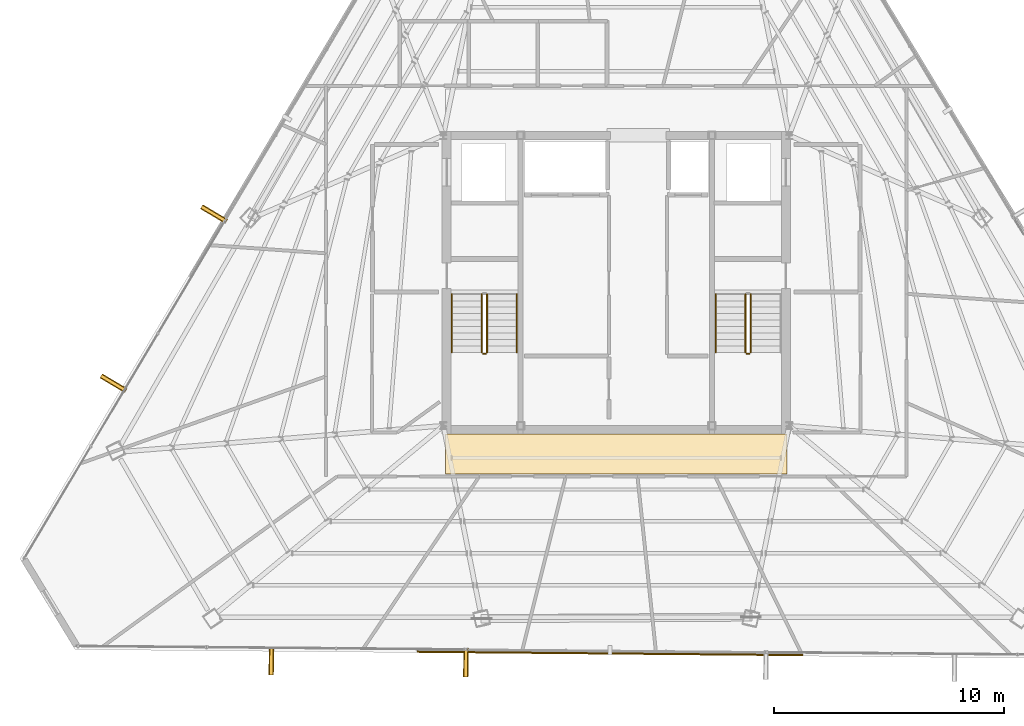
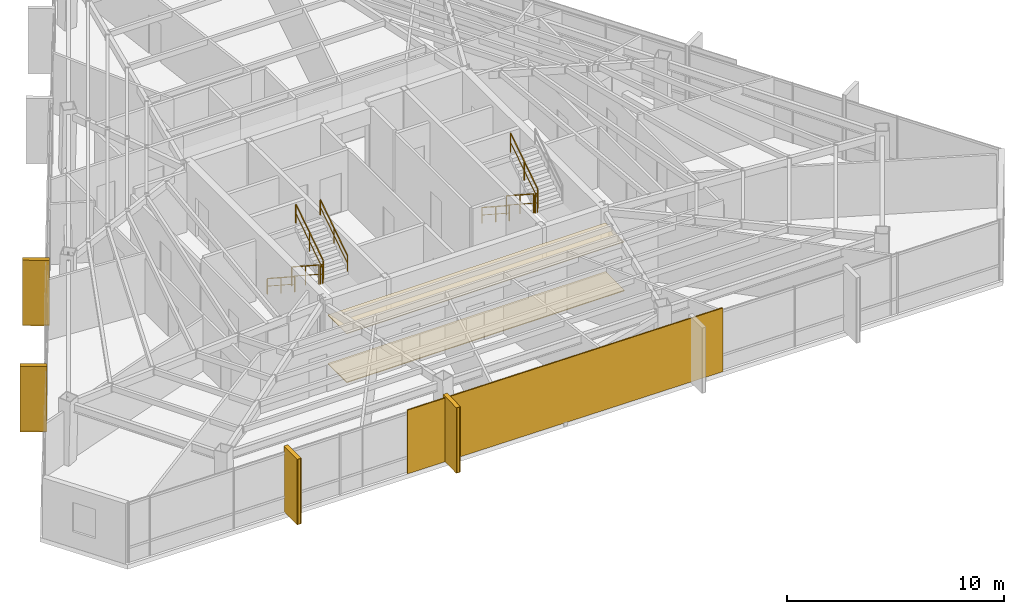
# One storey, part 43 of 45: 9 railings, 6 coverings, 5 shading devices.
"""IFC4 building model written with IfcOpenShell, lengths in metres."""

from ifc_helpers import new_model, si_unit, direction, frame, origin, origin_2d, place, context, subcontext, project, spatial, polyline, rectangle, outline, extrude, source, transform, mapped, material, layer, layer_set, type_object, type_shapes, element, save


model = new_model("IFC4")

# Units and contexts
model_context = context("Model", 3, precision=1e-05, world=origin(), true_north=direction((0.0, 1.0)))
body_context = subcontext(model_context, "Body", "Model", "MODEL_VIEW")
ifc_project = project(units=[si_unit("LENGTHUNIT", "METRE"), si_unit("AREAUNIT", "SQUARE_METRE"), si_unit("VOLUMEUNIT", "CUBIC_METRE"), si_unit("PLANEANGLEUNIT", "RADIAN"), si_unit("MASSUNIT", "GRAM", prefix="KILO")], contexts=[model_context])

# Site, building, storey
site_placement = place(None, origin())
site = spatial("IfcSite", under=ifc_project, at=site_placement, CompositionType="ELEMENT")
building_placement = place(site_placement, origin())
building = spatial("IfcBuilding", under=site, at=building_placement, Name="Caelisora Broadcast Tower", CompositionType="ELEMENT")
storey_placement = place(building_placement, frame((0.0, 0.0, 240.800048828125)))
storey = spatial("IfcBuildingStorey", under=building, at=storey_placement, Name="L63", CompositionType="ELEMENT", Elevation=240.800048828125)

# Coverings
ifc_material_1 = material(Name="Perforated Mineral-Fibre Acoustic Ceiling Tile", Category="gypsum")
ifc_layer_1 = layer(ifc_material_1, 0.034912109375, Name="Perforated Mineral-Fibre Acoustic Ceiling Tile")
ifc_layer_set_1 = layer_set([ifc_layer_1], Name="Perforated Mineral-Fibre Acoustic Ceiling Tile")
covering_type_1 = type_object("IfcCoveringType", Name="CE-1", PredefinedType="CEILING", material=ifc_layer_set_1)
covering_1_placement = place(storey_placement, frame((0.0, 0.0, 2.75)))
element("IfcCovering", 1, at=covering_1_placement, inside=storey, type_object=covering_type_1, Name="L63 acoustic corridor ceiling CE-1 (S)", PredefinedType="CEILING", context=body_context, shape_type="SweptSolid", body=[
    extrude(outline(polyline([(30.60009765625, 15.300048828125), (45.39990234375, 15.300048828125), (45.39990234375, 17.050048828125), (30.60009765625, 17.050048828125), (30.60009765625, 15.300048828125)])), origin(), (0.0, 0.0, 1.0), 0.034912109375),
])
ifc_material_2 = material(Name="Anti-Static Broadcast Raised Access Floor Panel", Category="steel")
ifc_layer_2 = layer(ifc_material_2, 0.044921875, Name="Anti-Static Broadcast Raised Access Floor Panel")
ifc_layer_set_2 = layer_set([ifc_layer_2], Name="Anti-Static Broadcast Raised Access Floor Panel")
covering_type_2 = type_object("IfcCoveringType", Name="FL-1", PredefinedType="FLOORING", material=ifc_layer_set_2)
covering_2_placement = place(storey_placement, origin())
element("IfcCovering", 2, at=covering_2_placement, inside=storey, type_object=covering_type_2, Name="L63 broadcast raised access floor FL-1 (S)", PredefinedType="FLOORING", context=body_context, shape_type="SweptSolid", body=[
    extrude(outline(polyline([(30.60009765625, 15.300048828125), (45.39990234375, 15.300048828125), (45.39990234375, 17.050048828125), (30.60009765625, 17.050048828125), (30.60009765625, 15.300048828125)])), origin(), (0.0, 0.0, 1.0), 0.044921875),
])

# Railings
ifc_material_3 = material(Name="Galvanised Steel Safety Guardrail", Category="steel")
ifc_layer_3 = layer(ifc_material_3, 0.048095703125, Name="Galvanised Steel Safety Guardrail")
ifc_layer_set_3 = layer_set([ifc_layer_3], Name="Galvanised Steel Safety Guardrail")
railing_type_1 = type_object("IfcRailingType", Name="GR-1", PredefinedType="GUARDRAIL", material=ifc_layer_set_3)
railing_1_placement = place(storey_placement, frame((32.169921875, 23.10009765625, 0.182373046875)))
element("IfcRailing", 3, at=railing_1_placement, inside=storey, type_object=railing_type_1, Name="L63 ST-1 stair guard 1", PredefinedType="GUARDRAIL", context=body_context, shape_type="SweptSolid", body=[
    extrude(rectangle(XDim=0.048095703125, YDim=0.048095703125, at=origin_2d()), frame((0.0, 0.0, 1.076171875), z_axis=(0.0, -0.837749427056, 0.546054848405), x_axis=(1.0, 0.0, 0.0)), (0.0, 0.0, 1.0), 3.008056640625),
    extrude(rectangle(XDim=0.03125, YDim=0.03125, at=origin_2d()), frame((0.0, 0.0, 0.550048828125), z_axis=(0.0, -0.837749427056, 0.546054848405), x_axis=(1.0, 0.0, 0.0)), (0.0, 0.0, 1.0), 3.008056640625),
    extrude(rectangle(XDim=0.0419921875, YDim=0.0419921875, at=origin_2d()), origin(), (0.0, 0.0, 1.0), 1.052001953125),
    extrude(rectangle(XDim=0.0419921875, YDim=0.0419921875, at=origin_2d()), frame((0.0, -1.260009765625, 0.8212890625)), (0.0, 0.0, 1.0), 1.052001953125),
    extrude(rectangle(XDim=0.0419921875, YDim=0.0419921875, at=origin_2d()), frame((0.0, -2.52001953125, 1.642578125)), (0.0, 0.0, 1.0), 1.052001953125),
])
railing_2_placement = place(storey_placement, frame((32.219970703125, 20.530029296875, 1.824951171875)))
element("IfcRailing", 4, at=railing_2_placement, inside=storey, type_object=railing_type_1, Name="L63 ST-1 stair guard 2", PredefinedType="GUARDRAIL", context=body_context, shape_type="SweptSolid", body=[
    extrude(rectangle(XDim=0.048095703125, YDim=0.048095703125, at=origin_2d()), frame((0.0, 0.0, 1.076171875), z_axis=(1.0, 0.0, 0.0), x_axis=(0.0, 1.0, 0.0)), (0.0, 0.0, 1.0), 0.1201171875),
    extrude(rectangle(XDim=0.03125, YDim=0.03125, at=origin_2d()), frame((0.0, 0.0, 0.550048828125), z_axis=(1.0, 0.0, 0.0), x_axis=(0.0, 1.0, 0.0)), (0.0, 0.0, 1.0), 0.1201171875),
    extrude(rectangle(XDim=0.0419921875, YDim=0.0419921875, at=origin_2d()), origin(), (0.0, 0.0, 1.0), 1.052001953125),
    extrude(rectangle(XDim=0.0419921875, YDim=0.0419921875, at=origin_2d()), frame((0.1201171875, 0.0, 0.0)), (0.0, 0.0, 1.0), 1.052001953125),
])
railing_3_placement = place(storey_placement, frame((32.389892578125, 20.580078125, 2.007568359375)))
element("IfcRailing", 5, at=railing_3_placement, inside=storey, type_object=railing_type_1, Name="L63 ST-1 stair guard 3", PredefinedType="GUARDRAIL", context=body_context, shape_type="SweptSolid", body=[
    extrude(rectangle(XDim=0.048095703125, YDim=0.048095703125, at=origin_2d()), frame((0.0, 0.0, 1.076171875), z_axis=(0.0, 0.837786554691, 0.545997883492), x_axis=(-1.0, 0.0, 0.0)), (0.0, 0.0, 1.0), 3.008056640625),
    extrude(rectangle(XDim=0.03125, YDim=0.03125, at=origin_2d()), frame((0.0, 0.0, 0.550048828125), z_axis=(0.0, 0.837786554691, 0.545997883492), x_axis=(-1.0, 0.0, 0.0)), (0.0, 0.0, 1.0), 3.008056640625),
    extrude(rectangle(XDim=0.0419921875, YDim=0.0419921875, at=origin_2d()), origin(), (0.0, 0.0, 1.0), 1.052001953125),
    extrude(rectangle(XDim=0.0419921875, YDim=0.0419921875, at=origin_2d()), frame((0.0, 1.260009765625, 0.8212890625)), (0.0, 0.0, 1.0), 1.052001953125),
    extrude(rectangle(XDim=0.0419921875, YDim=0.0419921875, at=origin_2d()), frame((0.0, 2.52001953125, 1.642333984375)), (0.0, 0.0, 1.0), 1.052001953125),
])
railing_4_placement = place(storey_placement, frame((43.610107421875, 23.10009765625, 0.182373046875)))
element("IfcRailing", 6, at=railing_4_placement, inside=storey, type_object=railing_type_1, Name="L63 ST-2 stair guard 1", PredefinedType="GUARDRAIL", context=body_context, shape_type="SweptSolid", body=[
    extrude(rectangle(XDim=0.048095703125, YDim=0.048095703125, at=origin_2d()), frame((0.0, 0.0, 1.076171875), z_axis=(0.0, -0.837749427056, 0.546054848405), x_axis=(1.0, 0.0, 0.0)), (0.0, 0.0, 1.0), 3.008056640625),
    extrude(rectangle(XDim=0.03125, YDim=0.03125, at=origin_2d()), frame((0.0, 0.0, 0.550048828125), z_axis=(0.0, -0.837749427056, 0.546054848405), x_axis=(1.0, 0.0, 0.0)), (0.0, 0.0, 1.0), 3.008056640625),
    extrude(rectangle(XDim=0.0419921875, YDim=0.0419921875, at=origin_2d()), origin(), (0.0, 0.0, 1.0), 1.052001953125),
    extrude(rectangle(XDim=0.0419921875, YDim=0.0419921875, at=origin_2d()), frame((0.0, -1.260009765625, 0.8212890625)), (0.0, 0.0, 1.0), 1.052001953125),
    extrude(rectangle(XDim=0.0419921875, YDim=0.0419921875, at=origin_2d()), frame((0.0, -2.52001953125, 1.642578125)), (0.0, 0.0, 1.0), 1.052001953125),
])
railing_5_placement = place(storey_placement, frame((43.659912109375, 20.530029296875, 1.824951171875)))
element("IfcRailing", 7, at=railing_5_placement, inside=storey, type_object=railing_type_1, Name="L63 ST-2 stair guard 2", PredefinedType="GUARDRAIL", context=body_context, shape_type="SweptSolid", body=[
    extrude(rectangle(XDim=0.048095703125, YDim=0.048095703125, at=origin_2d()), frame((0.0, 0.0, 1.076171875), z_axis=(1.0, 0.0, 0.0), x_axis=(0.0, 1.0, 0.0)), (0.0, 0.0, 1.0), 0.1201171875),
    extrude(rectangle(XDim=0.03125, YDim=0.03125, at=origin_2d()), frame((0.0, 0.0, 0.550048828125), z_axis=(1.0, 0.0, 0.0), x_axis=(0.0, 1.0, 0.0)), (0.0, 0.0, 1.0), 0.1201171875),
    extrude(rectangle(XDim=0.0419921875, YDim=0.0419921875, at=origin_2d()), origin(), (0.0, 0.0, 1.0), 1.052001953125),
    extrude(rectangle(XDim=0.0419921875, YDim=0.0419921875, at=origin_2d()), frame((0.1201171875, 0.0, 0.0)), (0.0, 0.0, 1.0), 1.052001953125),
])
railing_6_placement = place(storey_placement, frame((43.830078125, 20.580078125, 2.007568359375)))
element("IfcRailing", 8, at=railing_6_placement, inside=storey, type_object=railing_type_1, Name="L63 ST-2 stair guard 3", PredefinedType="GUARDRAIL", context=body_context, shape_type="SweptSolid", body=[
    extrude(rectangle(XDim=0.048095703125, YDim=0.048095703125, at=origin_2d()), frame((0.0, 0.0, 1.076171875), z_axis=(0.0, 0.837786554691, 0.545997883492), x_axis=(-1.0, 0.0, 0.0)), (0.0, 0.0, 1.0), 3.008056640625),
    extrude(rectangle(XDim=0.03125, YDim=0.03125, at=origin_2d()), frame((0.0, 0.0, 0.550048828125), z_axis=(0.0, 0.837786554691, 0.545997883492), x_axis=(-1.0, 0.0, 0.0)), (0.0, 0.0, 1.0), 3.008056640625),
    extrude(rectangle(XDim=0.0419921875, YDim=0.0419921875, at=origin_2d()), origin(), (0.0, 0.0, 1.0), 1.052001953125),
    extrude(rectangle(XDim=0.0419921875, YDim=0.0419921875, at=origin_2d()), frame((0.0, 1.260009765625, 0.8212890625)), (0.0, 0.0, 1.0), 1.052001953125),
    extrude(rectangle(XDim=0.0419921875, YDim=0.0419921875, at=origin_2d()), frame((0.0, 2.52001953125, 1.642333984375)), (0.0, 0.0, 1.0), 1.052001953125),
])
ifc_material_4 = material(Name="Stainless Steel Grade 316 Tubular Handrail", Category="steel")
ifc_layer_4 = layer(ifc_material_4, 0.048095703125, Name="Stainless Steel Grade 316 Tubular Handrail")
ifc_layer_set_4 = layer_set([ifc_layer_4], Name="Stainless Steel Grade 316 Tubular Handrail")
railing_type_2 = type_object("IfcRailingType", Name="HR-1", PredefinedType="HANDRAIL", material=ifc_layer_set_4)
railing_7_placement = place(storey_placement, frame((30.8701171875, 23.10009765625, 0.182373046875)))
element("IfcRailing", 9, at=railing_7_placement, inside=storey, type_object=railing_type_2, Name="L63 ST-1 stair handrail 1", PredefinedType="HANDRAIL", context=body_context, shape_type="SweptSolid", body=[
    extrude(rectangle(XDim=0.048095703125, YDim=0.048095703125, at=origin_2d()), frame((0.0, 0.0, 0.8759765625), z_axis=(0.0, -0.837749427056, 0.546054848405), x_axis=(1.0, 0.0, 0.0)), (0.0, 0.0, 1.0), 3.008056640625),
    extrude(rectangle(XDim=0.03125, YDim=0.03125, at=origin_2d()), frame((0.0, 0.0, 0.449951171875), z_axis=(0.0, -0.837749427056, 0.546054848405), x_axis=(1.0, 0.0, 0.0)), (0.0, 0.0, 1.0), 3.008056640625),
    extrude(rectangle(XDim=0.0419921875, YDim=0.0419921875, at=origin_2d()), origin(), (0.0, 0.0, 1.0), 0.851806640625),
    extrude(rectangle(XDim=0.0419921875, YDim=0.0419921875, at=origin_2d()), frame((0.0, -1.260009765625, 0.8212890625)), (0.0, 0.0, 1.0), 0.851806640625),
    extrude(rectangle(XDim=0.0419921875, YDim=0.0419921875, at=origin_2d()), frame((0.0, -2.52001953125, 1.642578125)), (0.0, 0.0, 1.0), 0.851806640625),
])
railing_8_placement = place(storey_placement, frame((33.68994140625, 20.580078125, 2.007568359375)))
element("IfcRailing", 10, at=railing_8_placement, inside=storey, type_object=railing_type_2, Name="L63 ST-1 stair handrail 2", PredefinedType="HANDRAIL", context=body_context, shape_type="SweptSolid", body=[
    extrude(rectangle(XDim=0.048095703125, YDim=0.048095703125, at=origin_2d()), frame((0.0, 0.0, 0.8759765625), z_axis=(0.0, 0.837786554691, 0.545997883492), x_axis=(-1.0, 0.0, 0.0)), (0.0, 0.0, 1.0), 3.008056640625),
    extrude(rectangle(XDim=0.03125, YDim=0.03125, at=origin_2d()), frame((0.0, 0.0, 0.449951171875), z_axis=(0.0, 0.837786554691, 0.545997883492), x_axis=(-1.0, 0.0, 0.0)), (0.0, 0.0, 1.0), 3.008056640625),
    extrude(rectangle(XDim=0.0419921875, YDim=0.0419921875, at=origin_2d()), origin(), (0.0, 0.0, 1.0), 0.851806640625),
    extrude(rectangle(XDim=0.0419921875, YDim=0.0419921875, at=origin_2d()), frame((0.0, 1.260009765625, 0.8212890625)), (0.0, 0.0, 1.0), 0.851806640625),
    extrude(rectangle(XDim=0.0419921875, YDim=0.0419921875, at=origin_2d()), frame((0.0, 2.52001953125, 1.642333984375)), (0.0, 0.0, 1.0), 0.851806640625),
])
railing_9_placement = place(storey_placement, frame((42.31005859375, 23.10009765625, 0.182373046875)))
element("IfcRailing", 11, at=railing_9_placement, inside=storey, type_object=railing_type_2, Name="L63 ST-2 stair handrail 1", PredefinedType="HANDRAIL", context=body_context, shape_type="SweptSolid", body=[
    extrude(rectangle(XDim=0.048095703125, YDim=0.048095703125, at=origin_2d()), frame((0.0, 0.0, 0.8759765625), z_axis=(0.0, -0.837749427056, 0.546054848405), x_axis=(1.0, 0.0, 0.0)), (0.0, 0.0, 1.0), 3.008056640625),
    extrude(rectangle(XDim=0.03125, YDim=0.03125, at=origin_2d()), frame((0.0, 0.0, 0.449951171875), z_axis=(0.0, -0.837749427056, 0.546054848405), x_axis=(1.0, 0.0, 0.0)), (0.0, 0.0, 1.0), 3.008056640625),
    extrude(rectangle(XDim=0.0419921875, YDim=0.0419921875, at=origin_2d()), origin(), (0.0, 0.0, 1.0), 0.851806640625),
    extrude(rectangle(XDim=0.0419921875, YDim=0.0419921875, at=origin_2d()), frame((0.0, -1.260009765625, 0.8212890625)), (0.0, 0.0, 1.0), 0.851806640625),
    extrude(rectangle(XDim=0.0419921875, YDim=0.0419921875, at=origin_2d()), frame((0.0, -2.52001953125, 1.642578125)), (0.0, 0.0, 1.0), 0.851806640625),
])

# Coverings
ifc_material_5 = material(Name="Kiln-Fired Terracotta Spandrel Rainscreen Cladding", Category="ceramic")
ifc_layer_5 = layer(ifc_material_5, 0.044921875, Name="Kiln-Fired Terracotta Spandrel Rainscreen Cladding")
ifc_layer_set_5 = layer_set([ifc_layer_5], Name="Kiln-Fired Terracotta Spandrel Rainscreen Cladding")
covering_type_3 = type_object("IfcCoveringType", Name="CL-1", PredefinedType="CLADDING", material=ifc_layer_set_5)
shared_shape_1 = source(origin(), body_context, "Body", "SweptSolid", [
    extrude(rectangle(XDim=0.219970703125, YDim=1.25, at=origin_2d()), origin(), (0.0, 0.0, 1.0), 3.68994140625),
])
type_shapes(covering_type_3, [shared_shape_1])
for number, where, z_axis, x_axis, name in (
    (12, (31.473388671875, 7.12353515625, -0.02001953125), (0.0, 0.0, 1.0), (-0.999960384766, 0.008901061644, 0.0), "L63 vertical solar fin cladding #2-3"),
    (13, (23.03271484375, 7.19921875, -0.02001953125), (0.0, 0.0, 1.0), (-0.999960384766, 0.008901061644, 0.0), "L63 vertical solar fin cladding #2-4"),
    (14, (16.18408203125, 19.2421875, -0.02001953125), (0.0, 0.0, 1.0), (0.510993065504, 0.859584834096, 0.0), "L63 vertical solar fin cladding #3-1"),
    (15, (20.54638671875, 26.5810546875, -0.02001953125), (0.0, 0.0, 1.0), (0.510993065504, 0.859584834096, 0.0), "L63 vertical solar fin cladding #3-2"),
):
    element("IfcCovering", number, at=place(storey_placement, frame(where, z_axis=z_axis, x_axis=x_axis)), inside=storey, type_object=covering_type_3, Name=name, PredefinedType="CLADDING", context=body_context, shape_type="MappedRepresentation", body=[
        mapped(shared_shape_1, transform((0.0, 0.0, 0.0), scale=1.0)),
    ])

# Shading devices
ifc_material_6 = material(Name="Extruded Terracotta Flaring Colonnade Fin", Category="ceramic")
ifc_layer_6 = layer(ifc_material_6, 0.139892578125, Name="Extruded Terracotta Flaring Colonnade Fin")
ifc_layer_set_6 = layer_set([ifc_layer_6], Name="Extruded Terracotta Flaring Colonnade Fin")
shading_device_type_1 = type_object("IfcShadingDeviceType", Name="FN-1", PredefinedType="USERDEFINED", material=ifc_layer_set_6)
shared_shape_2 = source(origin(), body_context, "Body", "SweptSolid", [
    extrude(rectangle(XDim=0.139892578125, YDim=1.25, at=origin_2d()), origin(), (0.0, 0.0, 1.0), 3.669921875),
])
type_shapes(shading_device_type_1, [shared_shape_2])
for number, where, z_axis, x_axis, name in (
    (16, (31.473388671875, 7.12353515625, -0.010009765625), (0.0, 0.0, 1.0), (-0.999960384766, 0.008901061644, 0.0), "L63 vertical terracotta fin #2-3"),
    (17, (23.03271484375, 7.19921875, -0.010009765625), (0.0, 0.0, 1.0), (-0.999960384766, 0.008901061644, 0.0), "L63 vertical terracotta fin #2-4"),
    (18, (16.18408203125, 19.2421875, -0.010009765625), (0.0, 0.0, 1.0), (0.510993065504, 0.859584834096, 0.0), "L63 vertical terracotta fin #3-1"),
    (19, (20.54638671875, 26.5810546875, -0.010009765625), (0.0, 0.0, 1.0), (0.510993065504, 0.859584834096, 0.0), "L63 vertical terracotta fin #3-2"),
):
    element("IfcShadingDevice", number, at=place(storey_placement, frame(where, z_axis=z_axis, x_axis=x_axis)), inside=storey, type_object=shading_device_type_1, Name=name, ObjectType="FIN", PredefinedType="USERDEFINED", context=body_context, shape_type="MappedRepresentation", body=[
        mapped(shared_shape_2, transform((0.0, 0.0, 0.0), scale=1.0)),
    ])
ifc_material_7 = material(Name="Perforated Glazed Terracotta Baguette Solar Screen", Category="ceramic")
ifc_layer_7 = layer(ifc_material_7, 0.06494140625, Name="Perforated Glazed Terracotta Baguette Solar Screen")
ifc_layer_set_7 = layer_set([ifc_layer_7], Name="Perforated Glazed Terracotta Baguette Solar Screen")
shading_device_type_2 = type_object("IfcShadingDeviceType", Name="SS-1", PredefinedType="USERDEFINED", material=ifc_layer_set_7)
shared_shape_3 = source(origin(), body_context, "Body", "SweptSolid", [
    extrude(rectangle(XDim=16.717041015625, YDim=0.06494140625, at=origin_2d()), origin(), (0.0, 0.0, 1.0), 3.590087890625),
])
type_shapes(shading_device_type_2, [shared_shape_3])
shading_device_placement = place(storey_placement, frame((37.72998046875, 7.517578125, 0.0), z_axis=(0.0, 0.0, 1.0), x_axis=(0.999960384766, -0.008901061644, 0.0)))
element("IfcShadingDevice", 20, at=shading_device_placement, inside=storey, type_object=shading_device_type_2, Name="L63 perforated terracotta solar screen #2", ObjectType="SOLAR SCREEN", PredefinedType="USERDEFINED", context=body_context, shape_type="MappedRepresentation", body=[
    mapped(shared_shape_3, transform((0.0, 0.0, 0.0), scale=1.0)),
])

save(model, "model.ifc")
